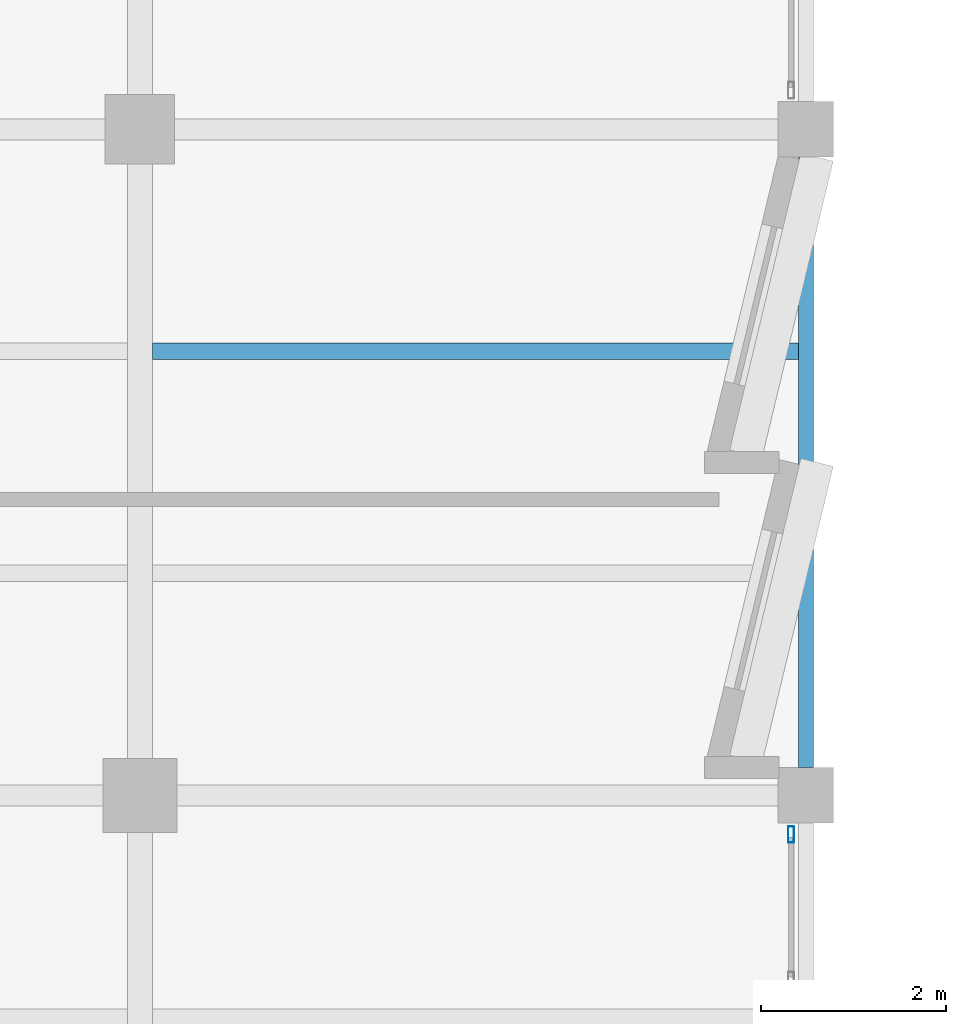
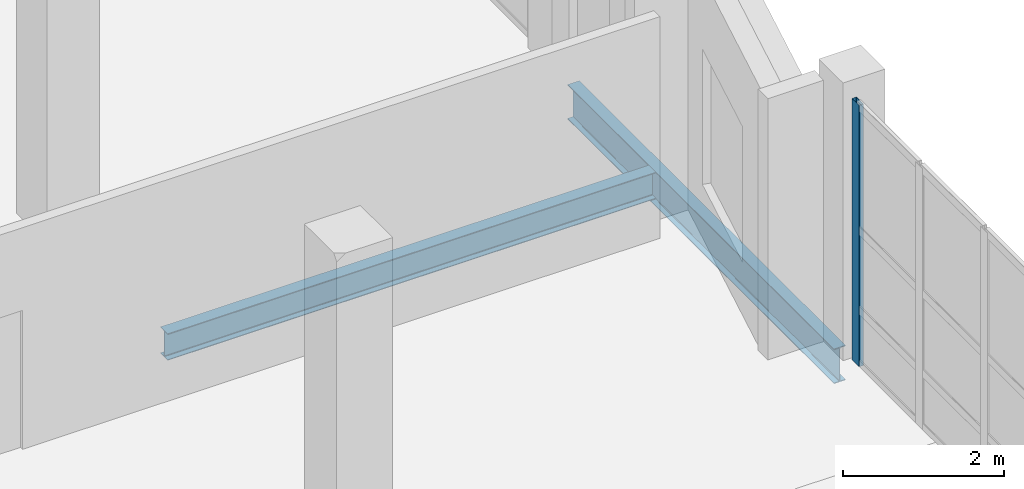
# One storey, part 36 of 94: 2 beams, 1 member, 1 element without a shape of its own.
"""IFC4 building model written with IfcOpenShell, lengths in metres."""

import ifcopenshell
import ifcopenshell.guid

model = None  # the IFC model being written
_history = None  # IfcOwnerHistory: only IFC2X3 demands one
_inside = {}  # id of a spatial element -> (the spatial element, [elements in it])
_under = {}  # id of a project, library or spatial element -> (it, [spatial elements below it])
_declared = {}  # id of a project -> (the project, [libraries it declares])
_typed = {}  # id of a type object -> (the type object, [elements of that type])
_made_of = {}  # id of a material, layer set ... -> (it, [elements and type objects made of it])


def new_model(schema):
    """Start an empty IFC model of exactly this schema.

    Asked for "IFC4X3", IfcOpenShell would pick the latest addendum, in which some entities
    have other attributes; the version numbers below select the first issue.
    IFC2X3 requires an IfcOwnerHistory on every rooted entity: one is made here for all.
    """
    global model, _history
    if schema == "IFC4X3":
        model = ifcopenshell.file(schema_version=(4, 3, 0, 0))
    else:
        model = ifcopenshell.file(schema=schema)
    _inside.clear()
    _under.clear()
    _declared.clear()
    _typed.clear()
    _made_of.clear()
    _history = None
    if model.schema == "IFC2X3":
        org = make("IfcOrganization", Name="unknown")
        user = make(
            "IfcPersonAndOrganization",
            ThePerson=make("IfcPerson", FamilyName="unknown"),
            TheOrganization=org,
        )
        app = make(
            "IfcApplication",
            ApplicationDeveloper=org,
            Version="unknown",
            ApplicationFullName="unknown",
            ApplicationIdentifier="unknown",
        )
        _history = make(
            "IfcOwnerHistory",
            OwningUser=user,
            OwningApplication=app,
            ChangeAction="ADDED",
            CreationDate=0,
        )
    return model


def make(cls, **values):
    """One entity of the class cls with the attributes given. An attribute that is None is left unset."""
    return model.create_entity(
        cls, **{name: value for name, value in values.items() if value is not None}
    )


def rooted(cls, **values):
    """An entity with a GlobalId (a new one), such as an element, a storey or a relation."""
    return make(cls, GlobalId=ifcopenshell.guid.new(), OwnerHistory=_history, **values)


def si_unit(unit_type, name, prefix=None):
    """IfcSIUnit, for example si_unit("LENGTHUNIT", "METRE", prefix="MILLI")."""
    return make("IfcSIUnit", UnitType=unit_type, Prefix=prefix, Name=name)


def assignment(units):
    """IfcUnitAssignment: the units of a project."""
    return None if units is None else make("IfcUnitAssignment", Units=units)


def point(xyz):
    """IfcCartesianPoint."""
    return None if xyz is None else make("IfcCartesianPoint", Coordinates=xyz)


def direction(xyz):
    """IfcDirection."""
    return None if xyz is None else make("IfcDirection", DirectionRatios=xyz)


def frame(location, z_axis=None, x_axis=None):
    """IfcAxis2Placement3D, a coordinate frame: its origin and axes. An axis left out is left unset."""
    return make(
        "IfcAxis2Placement3D",
        Location=point(location),
        Axis=direction(z_axis),
        RefDirection=direction(x_axis),
    )


def frame_2d(location, x_axis=None):
    """IfcAxis2Placement2D, a coordinate frame in the plane: its origin and x axis."""
    return make(
        "IfcAxis2Placement2D", Location=point(location), RefDirection=direction(x_axis)
    )


def origin():
    """The frame at (0, 0, 0) with its axes left unset."""
    return frame((0.0, 0.0, 0.0))


def origin_2d():
    """The frame at (0, 0) in the plane with its x axis left unset."""
    return frame_2d((0.0, 0.0))


def place(relative_to, where):
    """IfcLocalPlacement: puts the frame where relative to a parent placement (None: the world)."""
    return make(
        "IfcLocalPlacement", PlacementRelTo=relative_to, RelativePlacement=where
    )


def context(
    kind, dimensions, precision=None, world=None, true_north=None, identifier=None
):
    """IfcGeometricRepresentationContext, for example the 3D "Model" context."""
    return make(
        "IfcGeometricRepresentationContext",
        ContextIdentifier=identifier,
        ContextType=kind,
        CoordinateSpaceDimension=dimensions,
        Precision=precision,
        WorldCoordinateSystem=world,
        TrueNorth=true_north,
    )


def subcontext(parent, identifier, kind, view, scale=None):
    """IfcGeometricRepresentationSubContext, for example "Body" below "Model"."""
    return make(
        "IfcGeometricRepresentationSubContext",
        ContextIdentifier=identifier,
        ContextType=kind,
        ParentContext=parent,
        TargetScale=scale,
        TargetView=view,
    )


def project(units=None, contexts=None):
    """IfcProject with its units and contexts."""
    return rooted(
        "IfcProject",
        Name="project",
        RepresentationContexts=contexts,
        UnitsInContext=assignment(units),
    )


def spatial(cls, under=None, at=None, **own):
    """A site, building, storey or space (cls), placed at a placement, below another one or the project."""
    s = rooted(cls, ObjectPlacement=at, **own)
    if under is not None:
        _under.setdefault(under.id(), (under, []))[1].append(s)
    return s


def profile(cls, at=None, kind="AREA", **sizes):
    """A parametric profile (cls). Its sizes go by their IFC names, for example OverallWidth=200.0."""
    return make(cls, ProfileType=kind, Position=at, **sizes)


def hollow_rectangle(**sizes):
    """IfcRectangleHollowProfileDef."""
    return profile("IfcRectangleHollowProfileDef", **sizes)


def i_section(**sizes):
    """IfcIShapeProfileDef."""
    return profile("IfcIShapeProfileDef", **sizes)


def extrude(swept, where, along, depth):
    """IfcExtrudedAreaSolid: the profile swept, set in the frame where, extruded along a direction by depth."""
    return make(
        "IfcExtrudedAreaSolid",
        SweptArea=swept,
        Position=where,
        ExtrudedDirection=direction(along),
        Depth=depth,
    )


def shape(context_of_items, identifier, shape_type, items):
    """IfcShapeRepresentation: the items that make up one representation, for example the "Body"."""
    return make(
        "IfcShapeRepresentation",
        ContextOfItems=context_of_items,
        RepresentationIdentifier=identifier,
        RepresentationType=shape_type,
        Items=items,
    )


def material(Name=None, Category=None):
    """IfcMaterial."""
    return make("IfcMaterial", Name=Name, Category=Category)


def material_profile(
    of_material, cross_section, Name=None, Category=None, Priority=None
):
    """IfcMaterialProfile: a cross section and its material."""
    return make(
        "IfcMaterialProfile",
        Name=Name,
        Material=of_material,
        Profile=cross_section,
        Priority=Priority,
        Category=Category,
    )


def profile_set(profiles, Name=None, composite=None):
    """IfcMaterialProfileSet."""
    return make(
        "IfcMaterialProfileSet",
        Name=Name,
        MaterialProfiles=profiles,
        CompositeProfile=composite,
    )


def made_of(thing, what):
    """Note that an element or type object is made of a material, layer set ...; save() writes the relation."""
    if what is not None:
        _made_of.setdefault(what.id(), (what, []))[1].append(thing)
    return thing


def type_object(cls, material=None, **own):
    """A type object (cls), such as IfcWallType, which elements share."""
    return made_of(rooted(cls, **own), material)


def element(
    cls,
    number,
    at=None,
    inside=None,
    cuts=None,
    type_object=None,
    material=None,
    context=None,
    identifier="Body",
    shape_type=None,
    held_by="IfcProductDefinitionShape",
    body=None,
    shapes=None,
    **own,
):
    """One element of the class cls, such as IfcWall. Its Tag is "e" and its number.

    at: its placement. inside: the storey or other place that contains it. cuts: it is an
    opening in that element (IfcRelVoidsElement). A single representation is given by context,
    identifier, shape_type and body (its items); several are given by shapes. held_by: the class
    of the entity that holds the representations. save() writes the other relations.
    """
    e = rooted(cls, Tag="e%d" % number, ObjectPlacement=at, **own)
    if body is not None:
        shapes = [shape(context, identifier, shape_type, body)]
    if shapes is not None:
        e.Representation = make(held_by, Representations=shapes)
    if inside is not None:
        _inside.setdefault(inside.id(), (inside, []))[1].append(e)
    if cuts is not None:
        rooted(
            "IfcRelVoidsElement", RelatingBuildingElement=cuts, RelatedOpeningElement=e
        )
    if type_object is not None:
        _typed.setdefault(type_object.id(), (type_object, []))[1].append(e)
    return made_of(e, material)


def aggregate(whole, parts):
    """IfcRelAggregates: a whole, such as a stair, and the parts it consists of."""
    return rooted("IfcRelAggregates", RelatingObject=whole, RelatedObjects=parts)


def save(model, path):
    """Write the relations noted so far, then the file.

    IfcRelAggregates (storeys below a building ...), IfcRelContainedInSpatialStructure (elements
    in a storey), IfcRelDefinesByType, IfcRelAssociatesMaterial and IfcRelDeclares: one each for
    every whole, place, type object, material and project.
    """
    for whole, parts in _under.values():
        aggregate(whole, parts)
    for where, things in _inside.values():
        rooted(
            "IfcRelContainedInSpatialStructure",
            RelatedElements=things,
            RelatingStructure=where,
        )
    for kind, things in _typed.values():
        rooted("IfcRelDefinesByType", RelatedObjects=things, RelatingType=kind)
    for what, things in _made_of.values():
        rooted("IfcRelAssociatesMaterial", RelatedObjects=things, RelatingMaterial=what)
    for by, libraries in _declared.values():
        rooted("IfcRelDeclares", RelatingContext=by, RelatedDefinitions=libraries)
    model.write(path)


model = new_model("IFC4")

# Units and contexts
model_context = context("Model", 3, precision=1e-05, world=origin(), true_north=direction((0.0, 1.0)))
body_context = subcontext(model_context, "Body", "Model", "MODEL_VIEW")
ifc_project = project(units=[si_unit("LENGTHUNIT", "METRE"), si_unit("AREAUNIT", "SQUARE_METRE"), si_unit("VOLUMEUNIT", "CUBIC_METRE"), si_unit("PLANEANGLEUNIT", "RADIAN"), si_unit("MASSUNIT", "GRAM", prefix="KILO")], contexts=[model_context])

# Site, building, storey
site_placement = place(None, origin())
site = spatial("IfcSite", under=ifc_project, at=site_placement, CompositionType="ELEMENT")
building_placement = place(site_placement, origin())
building = spatial("IfcBuilding", under=site, at=building_placement, Name="Kalmorath City Hall", CompositionType="ELEMENT")
storey_placement = place(building_placement, frame((0.0, 0.0, 14.699951171875)))
storey = spatial("IfcBuildingStorey", under=building, at=storey_placement, Name="L03", CompositionType="ELEMENT", Elevation=14.699951171875)

# Curtain wall, member
ifc_material_1 = material(Name="Anodised aluminium and laminated glass", Category="aluminium")
curtain_wall_type = type_object("IfcCurtainWallType", Name="Unitised hurricane curtain wall 6420x3950 M1600", PredefinedType="NOTDEFINED", material=ifc_material_1)
curtain_wall_placement = place(storey_placement, origin())
curtain_wall = element("IfcCurtainWall", 1, at=curtain_wall_placement, inside=storey, type_object=curtain_wall_type, Name="L03 curtain wall CW-64X40M16 #153", PredefinedType="NOTDEFINED")
ifc_material_2 = material(Name="Anodised aluminium framing", Category="aluminium")
ifc_material_profile_1 = material_profile(ifc_material_2, hollow_rectangle(XDim=0.06494140625, YDim=0.179931640625, WallThickness=0.00390625, InnerFilletRadius=0.00390625, OuterFilletRadius=0.008056640625, at=origin_2d()), Name="ALU-MUL-180X65X4")
ifc_profile_set_1 = profile_set([ifc_material_profile_1], Name="Anodised aluminium framing")
member_type = type_object("IfcMemberType", Name="Curtain-wall courtyard mullion 180x65", PredefinedType="MULLION", material=ifc_profile_set_1)
member_placement = place(storey_placement, frame((28.639892578125, 64.37744140625, 0.0), z_axis=(0.0, 0.0, 1.0), x_axis=(1.0, 0.0, 0.0)))
member = element("IfcMember", 2, at=member_placement, type_object=member_type, Name="CW-64X40M16 mullion 1", PredefinedType="MULLION", context=body_context, shape_type="SweptSolid", body=[
    extrude(hollow_rectangle(XDim=0.06494140625, YDim=0.179931640625, WallThickness=0.00390625, InnerFilletRadius=0.00390625, OuterFilletRadius=0.008056640625, at=origin_2d()), origin(), (0.0, 0.0, 1.0), 3.949951171875),
])
aggregate(curtain_wall, [member])

# Beams
ifc_material_3 = material(Name="Steel ASTM A992 Grade 50", Category="steel")
ifc_material_profile_2 = material_profile(ifc_material_3, i_section(OverallWidth=0.177001953125, OverallDepth=0.403076171875, WebThickness=0.007568359375, FlangeThickness=0.010986328125, FilletRadius=0.012939453125, at=origin_2d()), Name="W16X36")
ifc_profile_set_2 = profile_set([ifc_material_profile_2], Name="Steel ASTM A992 Grade 50")
beam_type_1 = type_object("IfcBeamType", Name="Steel composite joist W16X36", PredefinedType="JOIST", material=ifc_profile_set_2)
beam_1_placement = place(storey_placement, frame((21.73388671875, 69.60009765625, -0.46533203125), z_axis=(1.0, 0.0, 0.0), x_axis=(0.0, 1.0, 0.0)))
element("IfcBeam", 3, at=beam_1_placement, inside=storey, type_object=beam_type_1, Name="L03 joist SJ7 4.10.2", PredefinedType="JOIST", context=body_context, shape_type="SweptSolid", body=[
    extrude(i_section(OverallWidth=0.177001953125, OverallDepth=0.403076171875, WebThickness=0.007568359375, FlangeThickness=0.010986328125, FilletRadius=0.012939453125, at=origin_2d()), origin(), (0.0, 0.0, 1.0), 6.983642578125),
])
ifc_material_4 = material(Name="Steel ASTM A992 Grade 50", Category="steel")
ifc_material_profile_3 = material_profile(ifc_material_4, i_section(OverallWidth=0.1650390625, OverallDepth=0.52490234375, WebThickness=0.0087890625, FlangeThickness=0.011474609375, FilletRadius=0.014892578125, at=origin_2d()), Name="W21X44")
ifc_profile_set_3 = profile_set([ifc_material_profile_3], Name="Steel ASTM A992 Grade 50")
beam_type_2 = type_object("IfcBeamType", Name="Steel spandrel beam W21X44", PredefinedType="SPANDREL", material=ifc_profile_set_3)
beam_2_placement = place(storey_placement, frame((28.800048828125, 65.10009765625, -0.5263671875), z_axis=(0.0, 1.0, 0.0), x_axis=(-1.0, 0.0, 0.0)))
element("IfcBeam", 4, at=beam_2_placement, inside=storey, type_object=beam_type_2, Name="L03 girder SB4 Y5/10-11", PredefinedType="SPANDREL", context=body_context, shape_type="SweptSolid", body=[
    extrude(i_section(OverallWidth=0.1650390625, OverallDepth=0.52490234375, WebThickness=0.0087890625, FlangeThickness=0.011474609375, FilletRadius=0.014892578125, at=origin_2d()), origin(), (0.0, 0.0, 1.0), 6.599853515625),
])

save(model, "model.ifc")
